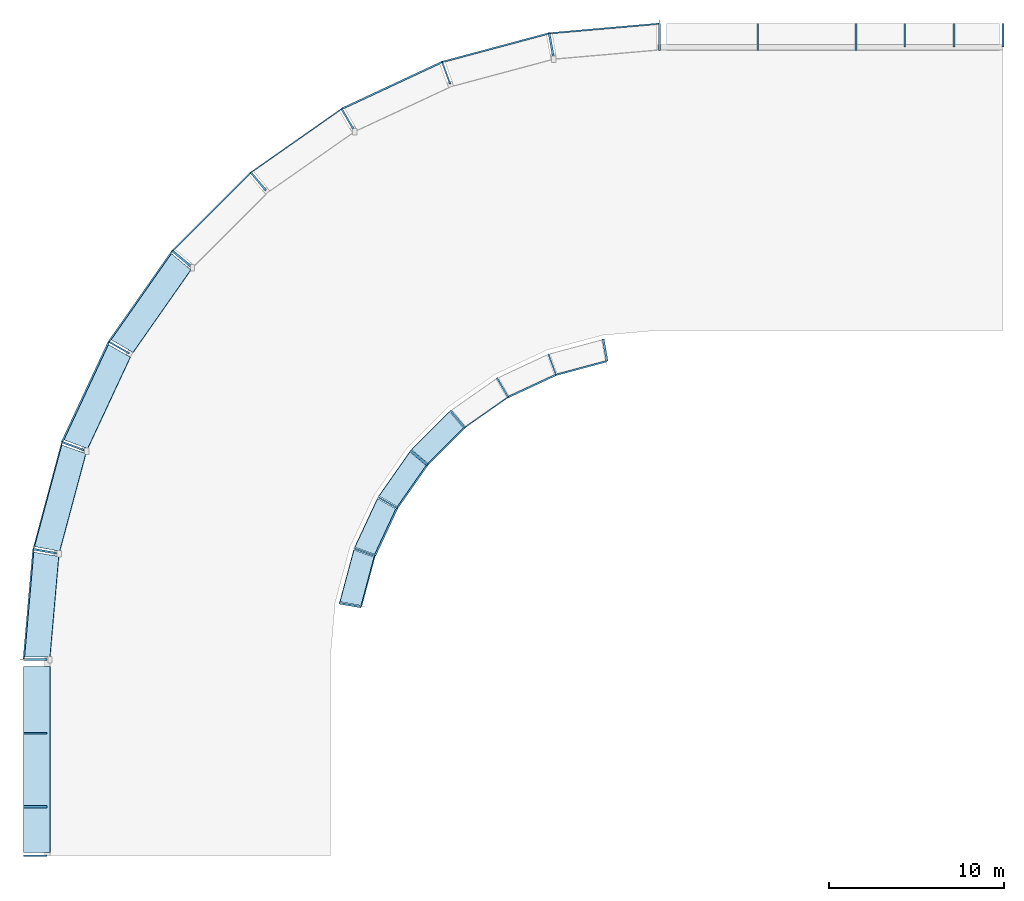
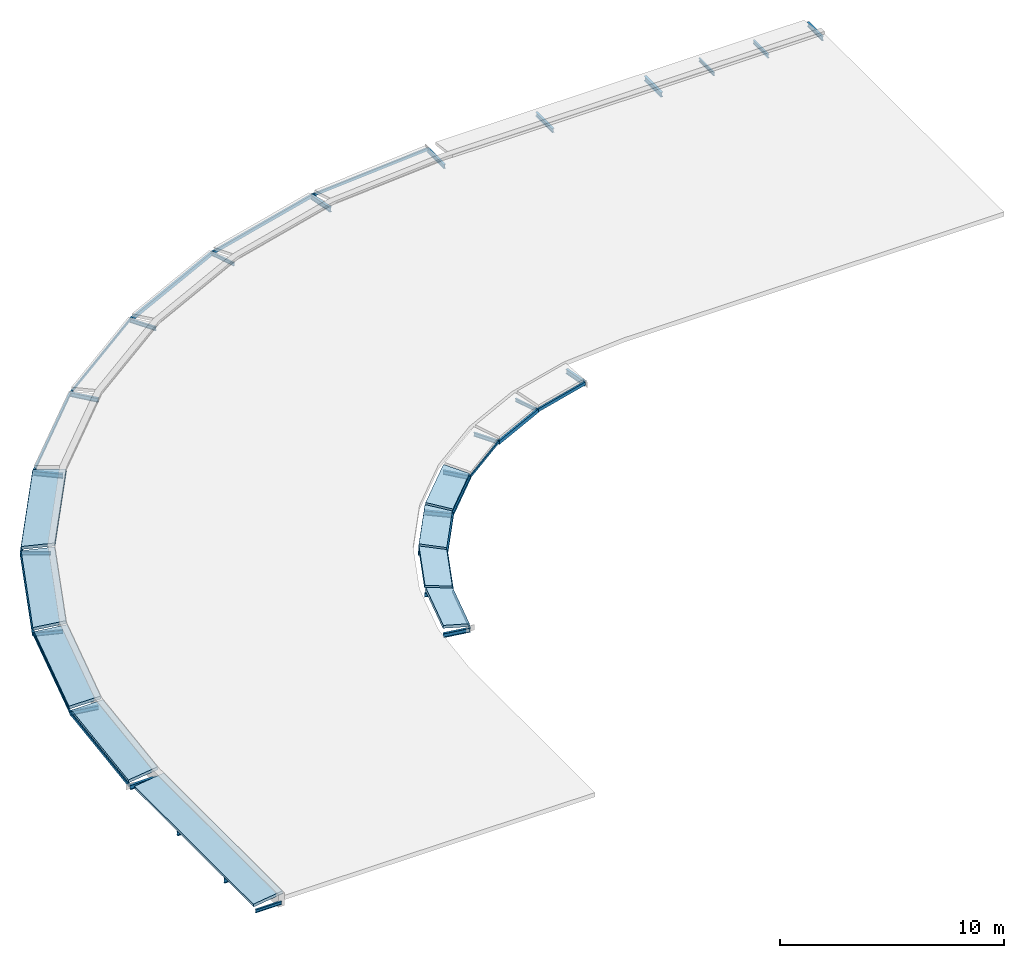
# One storey, part 1 of 6: 26 beams, 16 members, 9 slabs, 1 element without a shape of its own.
"""IFC4 building model written with IfcOpenShell, lengths in metres."""

from ifc_helpers import new_model, si_unit, direction, frame, origin, origin_2d, place, context, subcontext, project, spatial, polyline, hollow_rectangle, i_section, outline, extrude, material, layer, layer_set, material_profile, profile_set, type_object, element, aggregate, save


model = new_model("IFC4")

# Units and contexts
model_context = context("Model", 3, precision=1e-05, world=origin(), true_north=direction((0.0, 1.0)))
body_context = subcontext(model_context, "Body", "Model", "MODEL_VIEW")
ifc_project = project(units=[si_unit("LENGTHUNIT", "METRE"), si_unit("AREAUNIT", "SQUARE_METRE"), si_unit("VOLUMEUNIT", "CUBIC_METRE"), si_unit("PLANEANGLEUNIT", "RADIAN"), si_unit("MASSUNIT", "GRAM", prefix="KILO")], contexts=[model_context])

# Site, building, storey
site_placement = place(None, origin())
site = spatial("IfcSite", under=ifc_project, at=site_placement, CompositionType="ELEMENT")
building_placement = place(site_placement, origin())
building = spatial("IfcBuilding", under=site, at=building_placement, Name="Kiranvali Square Residences", CompositionType="ELEMENT")
storey_placement = place(building_placement, frame((0.0, 0.0, 52.800048828125)))
storey = spatial("IfcBuildingStorey", under=building, at=storey_placement, Name="ROOF", CompositionType="ELEMENT", Elevation=52.800048828125)

# Members
ifc_material_1 = material(Name="Structural steel E350", Category="steel")
ifc_material_profile_1 = material_profile(ifc_material_1, hollow_rectangle(XDim=0.06103515625, YDim=0.1220703125, WallThickness=0.00439453125, at=origin_2d()), Name="RHS 122x61x4.5")
ifc_profile_set_1 = profile_set([ifc_material_profile_1], Name="Structural steel E350")
member_type_1 = type_object("IfcMemberType", Name="MEM-RHS122", PredefinedType="PURLIN", material=ifc_profile_set_1)
member_1_placement = place(storey_placement, frame((30.050048828125, 119.23681640625, -0.301025390625), z_axis=(-0.819153970275, -0.573573685748, 0.0), x_axis=(0.573573685748, -0.819153970275, 0.0)))
element("IfcMember", 1, at=member_1_placement, inside=storey, type_object=member_type_1, Name="Block A Ottoman eave fascia purlin 4", PredefinedType="PURLIN", context=body_context, shape_type="SweptSolid", body=[
    extrude(hollow_rectangle(XDim=0.06103515625, YDim=0.1220703125, WallThickness=0.00439453125, at=origin_2d()), origin(), (0.0, 0.0, 1.0), 6.32763671875),
])
member_2_placement = place(storey_placement, frame((39.550048828125, 102.7822265625, -0.301025390625), z_axis=(-0.819140627792, -0.573592740453, 0.0), x_axis=(0.573592740453, -0.819140627792, 0.0)))
element("IfcMember", 2, at=member_2_placement, inside=storey, type_object=member_type_1, Name="Block A inner garden eave fascia purlin 4", PredefinedType="PURLIN", context=body_context, shape_type="SweptSolid", body=[
    extrude(hollow_rectangle(XDim=0.06103515625, YDim=0.1220703125, WallThickness=0.00439453125, at=origin_2d()), origin(), (0.0, 0.0, 1.0), 3.015625),
])
member_3_placement = place(storey_placement, frame((14.089111328125, 100.21533203125, -0.301025390625), z_axis=(-0.25882480207, -0.965924283696, 0.0), x_axis=(0.965924283696, -0.25882480207, 0.0)))
element("IfcMember", 3, at=member_3_placement, inside=storey, type_object=member_type_1, Name="Block A Ottoman eave fascia purlin 8", PredefinedType="PURLIN", context=body_context, shape_type="SweptSolid", body=[
    extrude(hollow_rectangle(XDim=0.06103515625, YDim=0.1220703125, WallThickness=0.00439453125, at=origin_2d()), origin(), (0.0, 0.0, 1.0), 6.327392578125),
])
member_4_placement = place(storey_placement, frame((31.943359375, 93.717041015625, -0.301025390625), z_axis=(-0.258866661045, -0.965913066378, 0.0), x_axis=(0.965913066378, -0.258866661045, 0.0)))
element("IfcMember", 4, at=member_4_placement, inside=storey, type_object=member_type_1, Name="Block A inner garden eave fascia purlin 8", PredefinedType="PURLIN", context=body_context, shape_type="SweptSolid", body=[
    extrude(hollow_rectangle(XDim=0.06103515625, YDim=0.1220703125, WallThickness=0.00439453125, at=origin_2d()), origin(), (0.0, 0.0, 1.0), 2.99072265625),
])
ifc_material_profile_2 = material_profile(ifc_material_1, hollow_rectangle(XDim=0.08203125, YDim=0.14501953125, WallThickness=0.00537109375, at=origin_2d()), Name="RHS 145x82x5.4")
ifc_profile_set_2 = profile_set([ifc_material_profile_2], Name="Structural steel E350")
member_type_2 = type_object("IfcMemberType", Name="MEM-RHS145", PredefinedType="PURLIN", material=ifc_profile_set_2)
member_5_placement = place(storey_placement, frame((48.175048828125, 124.097900390625, -0.3125), z_axis=(-0.996194516337, -0.087157820187, 0.0), x_axis=(0.087157820187, -0.996194516337, 0.0)))
element("IfcMember", 5, at=member_5_placement, inside=storey, type_object=member_type_2, Name="Block A Ottoman eave fascia purlin 1", PredefinedType="PURLIN", context=body_context, shape_type="SweptSolid", body=[
    extrude(hollow_rectangle(XDim=0.08203125, YDim=0.14501953125, WallThickness=0.00537109375, at=origin_2d()), origin(), (0.0, 0.0, 1.0), 6.302490234375),
])
member_6_placement = place(storey_placement, frame((24.86669921875, 115.607421875, -0.3125), z_axis=(-0.707106781187, -0.707106781187, 0.0), x_axis=(0.707106781187, -0.707106781187, 0.0)))
element("IfcMember", 6, at=member_6_placement, inside=storey, type_object=member_type_2, Name="Block A Ottoman eave fascia purlin 5", PredefinedType="PURLIN", context=body_context, shape_type="SweptSolid", body=[
    extrude(hollow_rectangle(XDim=0.08203125, YDim=0.14501953125, WallThickness=0.00537109375, at=origin_2d()), origin(), (0.0, 0.0, 1.0), 6.327392578125),
])
member_7_placement = place(storey_placement, frame((37.079833984375, 101.052490234375, -0.3125), z_axis=(-0.707106781187, -0.707106781187, 0.0), x_axis=(0.707106781187, -0.707106781187, 0.0)))
element("IfcMember", 7, at=member_7_placement, inside=storey, type_object=member_type_2, Name="Block A inner garden eave fascia purlin 5", PredefinedType="PURLIN", context=body_context, shape_type="SweptSolid", body=[
    extrude(hollow_rectangle(XDim=0.08203125, YDim=0.14501953125, WallThickness=0.00537109375, at=origin_2d()), origin(), (0.0, 0.0, 1.0), 3.015625),
])
member_8_placement = place(storey_placement, frame((12.451416015625, 94.103515625, -0.3125), z_axis=(-0.087157820187, -0.996194516337, 0.0), x_axis=(0.996194516337, -0.087157820187, 0.0)))
element("IfcMember", 8, at=member_8_placement, inside=storey, type_object=member_type_2, Name="Block A Ottoman eave fascia purlin 9", PredefinedType="PURLIN", context=body_context, shape_type="SweptSolid", body=[
    extrude(hollow_rectangle(XDim=0.08203125, YDim=0.14501953125, WallThickness=0.00537109375, at=origin_2d()), origin(), (0.0, 0.0, 1.0), 6.302490234375),
])
ifc_material_profile_3 = material_profile(ifc_material_1, hollow_rectangle(XDim=0.092041015625, YDim=0.172119140625, WallThickness=0.00537109375, at=origin_2d()), Name="RHS 172x92x5.4")
ifc_profile_set_3 = profile_set([ifc_material_profile_3], Name="Structural steel E350")
member_type_3 = type_object("IfcMemberType", Name="MEM-RHS172", PredefinedType="PURLIN", material=ifc_profile_set_3)
member_9_placement = place(storey_placement, frame((41.896484375, 123.548583984375, -0.325927734375), z_axis=(-0.965924283696, -0.25882480207, 0.0), x_axis=(0.25882480207, -0.965924283696, 0.0)))
element("IfcMember", 9, at=member_9_placement, inside=storey, type_object=member_type_3, Name="Block A Ottoman eave fascia purlin 2", PredefinedType="PURLIN", context=body_context, shape_type="SweptSolid", body=[
    extrude(hollow_rectangle(XDim=0.092041015625, YDim=0.172119140625, WallThickness=0.00537109375, at=origin_2d()), origin(), (0.0, 0.0, 1.0), 6.327392578125),
])
member_10_placement = place(storey_placement, frame((45.171630859375, 104.830810546875, -0.325927734375), z_axis=(-0.965913066378, -0.258866661045, 0.0), x_axis=(0.258866661045, -0.965913066378, 0.0)))
element("IfcMember", 10, at=member_10_placement, inside=storey, type_object=member_type_3, Name="Block A inner garden eave fascia purlin 2", PredefinedType="PURLIN", context=body_context, shape_type="SweptSolid", body=[
    extrude(hollow_rectangle(XDim=0.092041015625, YDim=0.172119140625, WallThickness=0.00537109375, at=origin_2d()), origin(), (0.0, 0.0, 1.0), 2.99072265625),
])
member_11_placement = place(storey_placement, frame((20.392578125, 111.13330078125, -0.325927734375), z_axis=(-0.573573685748, -0.819153970275, 0.0), x_axis=(0.819153970275, -0.573573685748, 0.0)))
element("IfcMember", 11, at=member_11_placement, inside=storey, type_object=member_type_3, Name="Block A Ottoman eave fascia purlin 6", PredefinedType="PURLIN", context=body_context, shape_type="SweptSolid", body=[
    extrude(hollow_rectangle(XDim=0.092041015625, YDim=0.172119140625, WallThickness=0.00537109375, at=origin_2d()), origin(), (0.0, 0.0, 1.0), 6.32763671875),
])
member_12_placement = place(storey_placement, frame((34.947509765625, 98.920166015625, -0.325927734375), z_axis=(-0.573592740453, -0.819140627792, 0.0), x_axis=(0.819140627792, -0.573592740453, 0.0)))
element("IfcMember", 12, at=member_12_placement, inside=storey, type_object=member_type_3, Name="Block A inner garden eave fascia purlin 6", PredefinedType="PURLIN", context=body_context, shape_type="SweptSolid", body=[
    extrude(hollow_rectangle(XDim=0.092041015625, YDim=0.172119140625, WallThickness=0.00537109375, at=origin_2d()), origin(), (0.0, 0.0, 1.0), 3.015625),
])
ifc_material_profile_4 = material_profile(ifc_material_1, hollow_rectangle(XDim=0.10009765625, YDim=0.199951171875, WallThickness=0.006103515625, at=origin_2d()), Name="RHS 200x100x6.0")
ifc_profile_set_4 = profile_set([ifc_material_profile_4], Name="Structural steel E350")
member_type_4 = type_object("IfcMemberType", Name="MEM-RHS200", PredefinedType="PURLIN", material=ifc_profile_set_4)
member_13_placement = place(storey_placement, frame((35.78466796875, 121.910888671875, -0.340087890625), z_axis=(-0.906309273507, -0.42261507398, 0.0), x_axis=(0.42261507398, -0.906309273507, 0.0)))
element("IfcMember", 13, at=member_13_placement, inside=storey, type_object=member_type_4, Name="Block A Ottoman eave fascia purlin 3", PredefinedType="PURLIN", context=body_context, shape_type="SweptSolid", body=[
    extrude(hollow_rectangle(XDim=0.10009765625, YDim=0.199951171875, WallThickness=0.006103515625, at=origin_2d()), origin(), (0.0, 0.0, 1.0), 6.327392578125),
])
member_14_placement = place(storey_placement, frame((42.282958984375, 104.056640625, -0.340087890625), z_axis=(-0.906303071034, -0.422628375094, 0.0), x_axis=(0.422628375094, -0.906303071034, 0.0)))
element("IfcMember", 14, at=member_14_placement, inside=storey, type_object=member_type_4, Name="Block A inner garden eave fascia purlin 3", PredefinedType="PURLIN", context=body_context, shape_type="SweptSolid", body=[
    extrude(hollow_rectangle(XDim=0.10009765625, YDim=0.199951171875, WallThickness=0.006103515625, at=origin_2d()), origin(), (0.0, 0.0, 1.0), 3.015380859375),
])
member_15_placement = place(storey_placement, frame((16.76318359375, 105.949951171875, -0.340087890625), z_axis=(-0.42261507398, -0.906309273507, 0.0), x_axis=(0.906309273507, -0.42261507398, 0.0)))
element("IfcMember", 15, at=member_15_placement, inside=storey, type_object=member_type_4, Name="Block A Ottoman eave fascia purlin 7", PredefinedType="PURLIN", context=body_context, shape_type="SweptSolid", body=[
    extrude(hollow_rectangle(XDim=0.10009765625, YDim=0.199951171875, WallThickness=0.006103515625, at=origin_2d()), origin(), (0.0, 0.0, 1.0), 6.327392578125),
])
member_16_placement = place(storey_placement, frame((33.2177734375, 96.449951171875, -0.340087890625), z_axis=(-0.422628375094, -0.906303071034, 0.0), x_axis=(0.906303071034, -0.422628375094, 0.0)))
element("IfcMember", 16, at=member_16_placement, inside=storey, type_object=member_type_4, Name="Block A inner garden eave fascia purlin 7", PredefinedType="PURLIN", context=body_context, shape_type="SweptSolid", body=[
    extrude(hollow_rectangle(XDim=0.10009765625, YDim=0.199951171875, WallThickness=0.006103515625, at=origin_2d()), origin(), (0.0, 0.0, 1.0), 3.015380859375),
])

# Beams
ifc_material_profile_5 = material_profile(ifc_material_1, i_section(OverallWidth=0.0849609375, OverallDepth=0.175048828125, WebThickness=0.005859375, FlangeThickness=0.009033203125, at=origin_2d()), Name="ISMB 175")
ifc_profile_set_5 = profile_set([ifc_material_profile_5], Name="Structural steel E350")
beam_type_1 = type_object("IfcBeamType", Name="SBM-ISMB175", PredefinedType="JOIST", material=ifc_profile_set_5)
beam_1_placement = place(storey_placement, frame((36.242919921875, 120.651611328125, -0.32763671875), z_axis=(-0.341962474452, 0.939713608536, 0.0), x_axis=(-0.939713608536, -0.341962474452, 0.0)))
element("IfcBeam", 17, at=beam_1_placement, inside=storey, type_object=beam_type_1, Name="Block A Classical Ottoman eave steel joist 3", PredefinedType="JOIST", context=body_context, shape_type="SweptSolid", body=[
    extrude(i_section(OverallWidth=0.0849609375, OverallDepth=0.175048828125, WebThickness=0.005859375, FlangeThickness=0.009033203125, at=origin_2d()), origin(), (0.0, 0.0, 1.0), 1.340087890625),
])
beam_2_placement = place(storey_placement, frame((41.84521484375, 105.259521484375, -0.32763671875), z_axis=(0.341972760075, -0.939709865526, 0.0), x_axis=(0.939709865526, 0.341972760075, 0.0)))
element("IfcBeam", 18, at=beam_2_placement, inside=storey, type_object=beam_type_1, Name="Block A inner garden eave steel joist 3", PredefinedType="JOIST", context=body_context, shape_type="SweptSolid", body=[
    extrude(i_section(OverallWidth=0.0849609375, OverallDepth=0.175048828125, WebThickness=0.005859375, FlangeThickness=0.009033203125, at=origin_2d()), origin(), (0.0, 0.0, 1.0), 1.280029296875),
])
beam_3_placement = place(storey_placement, frame((17.923828125, 105.280029296875, -0.32763671875), z_axis=(-0.866082447003, 0.499901185229, 0.0), x_axis=(-0.499901185229, -0.866082447003, 0.0)))
element("IfcBeam", 19, at=beam_3_placement, inside=storey, type_object=beam_type_1, Name="Block A Classical Ottoman eave steel joist 7", PredefinedType="JOIST", context=body_context, shape_type="SweptSolid", body=[
    extrude(i_section(OverallWidth=0.0849609375, OverallDepth=0.175048828125, WebThickness=0.005859375, FlangeThickness=0.009033203125, at=origin_2d()), origin(), (0.0, 0.0, 1.0), 1.340087890625),
])
beam_4_placement = place(storey_placement, frame((32.109130859375, 97.090087890625, -0.32763671875), z_axis=(0.866004557827, -0.500036104519, 0.0), x_axis=(0.500036104519, 0.866004557827, 0.0)))
element("IfcBeam", 20, at=beam_4_placement, inside=storey, type_object=beam_type_1, Name="Block A inner garden eave steel joist 7", PredefinedType="JOIST", context=body_context, shape_type="SweptSolid", body=[
    extrude(i_section(OverallWidth=0.0849609375, OverallDepth=0.175048828125, WebThickness=0.005859375, FlangeThickness=0.009033203125, at=origin_2d()), origin(), (0.0, 0.0, 1.0), 1.2802734375),
])
for number, where, z_axis, x_axis, name in (
    (21, (62.199951171875, 122.760009765625, -0.32763671875), (0.0, 1.0, 0.0), (-1.0, 0.0, 0.0), "Block A Arm 1 Ottoman eave joist 3"),
    (22, (13.239990234375, 76.60009765625, -0.32763671875), (-1.0, 0.0, 0.0), (0.0, -1.0, 0.0), "Block A Arm 2 Ottoman eave joist 3"),
):
    element("IfcBeam", number, at=place(storey_placement, frame(where, z_axis=z_axis, x_axis=x_axis)), inside=storey, type_object=beam_type_1, Name=name, PredefinedType="JOIST", context=body_context, shape_type="SweptSolid", body=[
        extrude(i_section(OverallWidth=0.0849609375, OverallDepth=0.175048828125, WebThickness=0.005859375, FlangeThickness=0.009033203125, at=origin_2d()), origin(), (0.0, 0.0, 1.0), 1.340087890625),
    ])
ifc_material_profile_6 = material_profile(ifc_material_1, i_section(OverallWidth=0.10009765625, OverallDepth=0.199951171875, WebThickness=0.005615234375, FlangeThickness=0.0107421875, at=origin_2d()), Name="ISMB 200")
ifc_profile_set_6 = profile_set([ifc_material_profile_6], Name="Structural steel E350")
beam_type_2 = type_object("IfcBeamType", Name="SBM-ISMB200", PredefinedType="JOIST", material=ifc_profile_set_6)
beam_5_placement = place(storey_placement, frame((30.719970703125, 118.076171875, -0.340087890625), z_axis=(-0.499901185229, 0.866082447003, 0.0), x_axis=(-0.866082447003, -0.499901185229, 0.0)))
element("IfcBeam", 23, at=beam_5_placement, inside=storey, type_object=beam_type_2, Name="Block A Classical Ottoman eave steel joist 4", PredefinedType="JOIST", context=body_context, shape_type="SweptSolid", body=[
    extrude(i_section(OverallWidth=0.10009765625, OverallDepth=0.199951171875, WebThickness=0.005615234375, FlangeThickness=0.0107421875, at=origin_2d()), origin(), (0.0, 0.0, 1.0), 1.340087890625),
])
beam_6_placement = place(storey_placement, frame((38.909912109375, 103.890869140625, -0.340087890625), z_axis=(0.500036104519, -0.866004557827, 0.0), x_axis=(0.866004557827, 0.500036104519, 0.0)))
element("IfcBeam", 24, at=beam_6_placement, inside=storey, type_object=beam_type_2, Name="Block A inner garden eave steel joist 4", PredefinedType="JOIST", context=body_context, shape_type="SweptSolid", body=[
    extrude(i_section(OverallWidth=0.10009765625, OverallDepth=0.199951171875, WebThickness=0.005615234375, FlangeThickness=0.0107421875, at=origin_2d()), origin(), (0.0, 0.0, 1.0), 1.2802734375),
])
beam_7_placement = place(storey_placement, frame((15.348388671875, 99.757080078125, -0.340087890625), z_axis=(-0.939713608536, 0.341962474452, 0.0), x_axis=(-0.341962474452, -0.939713608536, 0.0)))
element("IfcBeam", 25, at=beam_7_placement, inside=storey, type_object=beam_type_2, Name="Block A Classical Ottoman eave steel joist 8", PredefinedType="JOIST", context=body_context, shape_type="SweptSolid", body=[
    extrude(i_section(OverallWidth=0.10009765625, OverallDepth=0.199951171875, WebThickness=0.005615234375, FlangeThickness=0.0107421875, at=origin_2d()), origin(), (0.0, 0.0, 1.0), 1.340087890625),
])
beam_8_placement = place(storey_placement, frame((30.740478515625, 94.15478515625, -0.340087890625), z_axis=(0.939709865526, -0.341972760075, 0.0), x_axis=(0.341972760075, 0.939709865526, 0.0)))
element("IfcBeam", 26, at=beam_8_placement, inside=storey, type_object=beam_type_2, Name="Block A inner garden eave steel joist 8", PredefinedType="JOIST", context=body_context, shape_type="SweptSolid", body=[
    extrude(i_section(OverallWidth=0.10009765625, OverallDepth=0.199951171875, WebThickness=0.005615234375, FlangeThickness=0.0107421875, at=origin_2d()), origin(), (0.0, 0.0, 1.0), 1.280029296875),
])
beam_9_placement = place(storey_placement, frame((65.0, 122.760009765625, -0.340087890625), z_axis=(0.0, 1.0, 0.0), x_axis=(-1.0, 0.0, 0.0)))
element("IfcBeam", 27, at=beam_9_placement, inside=storey, type_object=beam_type_2, Name="Block A Arm 1 Ottoman eave joist 4", PredefinedType="JOIST", context=body_context, shape_type="SweptSolid", body=[
    extrude(i_section(OverallWidth=0.10009765625, OverallDepth=0.199951171875, WebThickness=0.005615234375, FlangeThickness=0.0107421875, at=origin_2d()), origin(), (0.0, 0.0, 1.0), 1.340087890625),
])
ifc_material_profile_7 = material_profile(ifc_material_1, i_section(OverallWidth=0.110107421875, OverallDepth=0.22509765625, WebThickness=0.006591796875, FlangeThickness=0.01171875, at=origin_2d()), Name="ISMB 225")
ifc_profile_set_7 = profile_set([ifc_material_profile_7], Name="Structural steel E350")
beam_type_3 = type_object("IfcBeamType", Name="SBM-ISMB225", PredefinedType="JOIST", material=ifc_profile_set_7)
beam_10_placement = place(storey_placement, frame((48.199951171875, 122.580078125, -0.3525390625), z_axis=(0.0, 1.0, 0.0), x_axis=(-1.0, 0.0, 0.0)))
element("IfcBeam", 28, at=beam_10_placement, inside=storey, type_object=beam_type_3, Name="Block A Classical Ottoman eave steel joist 1", PredefinedType="JOIST", context=body_context, shape_type="SweptSolid", body=[
    extrude(i_section(OverallWidth=0.110107421875, OverallDepth=0.22509765625, WebThickness=0.006591796875, FlangeThickness=0.01171875, at=origin_2d()), origin(), (0.0, 0.0, 1.0), 1.52001953125),
])
beam_11_placement = place(storey_placement, frame((25.72802734375, 114.580810546875, -0.3525390625), z_axis=(-0.642743353456, 0.766081576327, 0.0), x_axis=(-0.766081576327, -0.642743353456, 0.0)))
element("IfcBeam", 29, at=beam_11_placement, inside=storey, type_object=beam_type_3, Name="Block A Classical Ottoman eave steel joist 5", PredefinedType="JOIST", context=body_context, shape_type="SweptSolid", body=[
    extrude(i_section(OverallWidth=0.110107421875, OverallDepth=0.22509765625, WebThickness=0.006591796875, FlangeThickness=0.01171875, at=origin_2d()), origin(), (0.0, 0.0, 1.0), 1.340087890625),
])
beam_12_placement = place(storey_placement, frame((36.257080078125, 102.033203125, -0.3525390625), z_axis=(0.642713381368, -0.766106721946, 0.0), x_axis=(0.766106721946, 0.642713381368, 0.0)))
element("IfcBeam", 30, at=beam_12_placement, inside=storey, type_object=beam_type_3, Name="Block A inner garden eave steel joist 5", PredefinedType="JOIST", context=body_context, shape_type="SweptSolid", body=[
    extrude(i_section(OverallWidth=0.110107421875, OverallDepth=0.22509765625, WebThickness=0.006591796875, FlangeThickness=0.01171875, at=origin_2d()), origin(), (0.0, 0.0, 1.0), 1.280029296875),
])
beam_13_placement = place(storey_placement, frame((13.771240234375, 93.870849609375, -0.3525390625), z_axis=(-0.984814719833, 0.173608662227, 0.0), x_axis=(-0.173608662227, -0.984814719833, 0.0)))
element("IfcBeam", 31, at=beam_13_placement, inside=storey, type_object=beam_type_3, Name="Block A Classical Ottoman eave steel joist 9", PredefinedType="JOIST", context=body_context, shape_type="SweptSolid", body=[
    extrude(i_section(OverallWidth=0.110107421875, OverallDepth=0.22509765625, WebThickness=0.006591796875, FlangeThickness=0.01171875, at=origin_2d()), origin(), (0.0, 0.0, 1.0), 1.340087890625),
])
beam_14_placement = place(storey_placement, frame((29.90234375, 91.0263671875, -0.3525390625), z_axis=(0.98482002203, -0.173578582229, 0.0), x_axis=(0.173578582229, 0.98482002203, 0.0)))
element("IfcBeam", 32, at=beam_14_placement, inside=storey, type_object=beam_type_3, Name="Block A inner garden eave steel joist 9", PredefinedType="JOIST", context=body_context, shape_type="SweptSolid", body=[
    extrude(i_section(OverallWidth=0.110107421875, OverallDepth=0.22509765625, WebThickness=0.006591796875, FlangeThickness=0.01171875, at=origin_2d()), origin(), (0.0, 0.0, 1.0), 1.280029296875),
])
beam_15_placement = place(storey_placement, frame((53.800048828125, 122.580078125, -0.3525390625), z_axis=(0.0, 1.0, 0.0), x_axis=(-1.0, 0.0, 0.0)))
element("IfcBeam", 33, at=beam_15_placement, inside=storey, type_object=beam_type_3, Name="Block A Arm 1 Ottoman eave joist 1", PredefinedType="JOIST", context=body_context, shape_type="SweptSolid", body=[
    extrude(i_section(OverallWidth=0.110107421875, OverallDepth=0.22509765625, WebThickness=0.006591796875, FlangeThickness=0.01171875, at=origin_2d()), origin(), (0.0, 0.0, 1.0), 1.52001953125),
])
for number, where, z_axis, x_axis, name in (
    (34, (67.800048828125, 122.760009765625, -0.3525390625), (0.0, 1.0, 0.0), (-1.0, 0.0, 0.0), "Block A Arm 1 Ottoman eave joist 5"),
    (35, (13.239990234375, 83.60009765625, -0.3525390625), (-1.0, 0.0, 0.0), (0.0, -1.0, 0.0), "Block A Arm 2 Ottoman eave joist 1"),
):
    element("IfcBeam", number, at=place(storey_placement, frame(where, z_axis=z_axis, x_axis=x_axis)), inside=storey, type_object=beam_type_3, Name=name, PredefinedType="JOIST", context=body_context, shape_type="SweptSolid", body=[
        extrude(i_section(OverallWidth=0.110107421875, OverallDepth=0.22509765625, WebThickness=0.006591796875, FlangeThickness=0.01171875, at=origin_2d()), origin(), (0.0, 0.0, 1.0), 1.340087890625),
    ])
ifc_material_profile_8 = material_profile(ifc_material_1, i_section(OverallWidth=0.125, OverallDepth=0.25, WebThickness=0.0068359375, FlangeThickness=0.012451171875, at=origin_2d()), Name="ISMB 250")
ifc_profile_set_8 = profile_set([ifc_material_profile_8], Name="Structural steel E350")
beam_type_4 = type_object("IfcBeamType", Name="SBM-ISMB250", PredefinedType="JOIST", material=ifc_profile_set_8)
beam_16_placement = place(storey_placement, frame((42.129150390625, 122.228759765625, -0.364990234375), z_axis=(-0.173608662227, 0.984814719833, 0.0), x_axis=(-0.984814719833, -0.173608662227, 0.0)))
element("IfcBeam", 36, at=beam_16_placement, inside=storey, type_object=beam_type_4, Name="Block A Classical Ottoman eave steel joist 2", PredefinedType="JOIST", context=body_context, shape_type="SweptSolid", body=[
    extrude(i_section(OverallWidth=0.125, OverallDepth=0.25, WebThickness=0.0068359375, FlangeThickness=0.012451171875, at=origin_2d()), origin(), (0.0, 0.0, 1.0), 1.340087890625),
])
beam_17_placement = place(storey_placement, frame((44.9736328125, 106.09765625, -0.364990234375), z_axis=(0.173578582229, -0.98482002203, 0.0), x_axis=(0.98482002203, 0.173578582229, 0.0)))
element("IfcBeam", 37, at=beam_17_placement, inside=storey, type_object=beam_type_4, Name="Block A inner garden eave steel joist 2", PredefinedType="JOIST", context=body_context, shape_type="SweptSolid", body=[
    extrude(i_section(OverallWidth=0.125, OverallDepth=0.25, WebThickness=0.0068359375, FlangeThickness=0.012451171875, at=origin_2d()), origin(), (0.0, 0.0, 1.0), 1.280029296875),
])
beam_18_placement = place(storey_placement, frame((21.419189453125, 110.27197265625, -0.364990234375), z_axis=(-0.766081576327, 0.642743353456, 0.0), x_axis=(-0.642743353456, -0.766081576327, 0.0)))
element("IfcBeam", 38, at=beam_18_placement, inside=storey, type_object=beam_type_4, Name="Block A Classical Ottoman eave steel joist 6", PredefinedType="JOIST", context=body_context, shape_type="SweptSolid", body=[
    extrude(i_section(OverallWidth=0.125, OverallDepth=0.25, WebThickness=0.0068359375, FlangeThickness=0.012451171875, at=origin_2d()), origin(), (0.0, 0.0, 1.0), 1.340087890625),
])
beam_19_placement = place(storey_placement, frame((33.966796875, 99.742919921875, -0.364990234375), z_axis=(0.766106721946, -0.642713381368, 0.0), x_axis=(0.642713381368, 0.766106721946, 0.0)))
element("IfcBeam", 39, at=beam_19_placement, inside=storey, type_object=beam_type_4, Name="Block A inner garden eave steel joist 6", PredefinedType="JOIST", context=body_context, shape_type="SweptSolid", body=[
    extrude(i_section(OverallWidth=0.125, OverallDepth=0.25, WebThickness=0.0068359375, FlangeThickness=0.012451171875, at=origin_2d()), origin(), (0.0, 0.0, 1.0), 1.280029296875),
])
beam_20_placement = place(storey_placement, frame((13.239990234375, 87.800048828125, -0.364990234375), z_axis=(-1.0, 0.0, 0.0), x_axis=(0.0, -1.0, 0.0)))
element("IfcBeam", 40, at=beam_20_placement, inside=storey, type_object=beam_type_4, Name="Block A Classical Ottoman eave steel joist 10", PredefinedType="JOIST", context=body_context, shape_type="SweptSolid", body=[
    extrude(i_section(OverallWidth=0.125, OverallDepth=0.25, WebThickness=0.0068359375, FlangeThickness=0.012451171875, at=origin_2d()), origin(), (0.0, 0.0, 1.0), 1.340087890625),
])
beam_21_placement = place(storey_placement, frame((59.39990234375, 122.580078125, -0.364990234375), z_axis=(0.0, 1.0, 0.0), x_axis=(-1.0, 0.0, 0.0)))
element("IfcBeam", 41, at=beam_21_placement, inside=storey, type_object=beam_type_4, Name="Block A Arm 1 Ottoman eave joist 2", PredefinedType="JOIST", context=body_context, shape_type="SweptSolid", body=[
    extrude(i_section(OverallWidth=0.125, OverallDepth=0.25, WebThickness=0.0068359375, FlangeThickness=0.012451171875, at=origin_2d()), origin(), (0.0, 0.0, 1.0), 1.52001953125),
])
beam_22_placement = place(storey_placement, frame((13.239990234375, 79.39990234375, -0.364990234375), z_axis=(-1.0, 0.0, 0.0), x_axis=(0.0, -1.0, 0.0)))
element("IfcBeam", 42, at=beam_22_placement, inside=storey, type_object=beam_type_4, Name="Block A Arm 2 Ottoman eave joist 2", PredefinedType="JOIST", context=body_context, shape_type="SweptSolid", body=[
    extrude(i_section(OverallWidth=0.125, OverallDepth=0.25, WebThickness=0.0068359375, FlangeThickness=0.012451171875, at=origin_2d()), origin(), (0.0, 0.0, 1.0), 1.340087890625),
])

# Roof, slabs
ifc_material_2 = material(Name="Concrete M40 (40 MPa)", Category="concrete")
roof_type = type_object("IfcRoofType", Name="RF-FLAT-TOWER", PredefinedType="FLAT_ROOF", material=ifc_material_2)
roof_placement = place(storey_placement, origin())
roof = element("IfcRoof", 43, at=roof_placement, inside=storey, type_object=roof_type, Name="Block A Classical Ottoman overhanging eave roof assembly", PredefinedType="FLAT_ROOF")
ifc_material_3 = material(Name="Concrete M35 (35 MPa)", Category="concrete")
ifc_layer = layer(ifc_material_3, 0.159912109375)
ifc_layer_set = layer_set([ifc_layer], Name="Concrete M35 (35 MPa)")
slab_type = type_object("IfcSlabType", Name="SLB-PITCH-160", PredefinedType="ROOF", material=ifc_layer_set)
slab_1_placement = place(storey_placement, frame((36.220947265625, 101.950439453125, 0.119873046875), z_axis=(0.112948342878, -0.112948342878, 0.98716024215), x_axis=(-0.707106781187, -0.707106781187, 0.0)))
slab_1 = element("IfcSlab", 44, at=slab_1_placement, type_object=slab_type, Name="Block A inner garden Ottoman eave slab 5", PredefinedType="ROOF", context=body_context, shape_type="SweptSolid", body=[
    extrude(outline(polyline([(0.0, 0.0), (3.0708045468130636, 0.0), (2.967914985878693, 1.2517831243585786), (0.10288956093437063, 1.2517831243585784), (0.0, 0.0)])), origin(), (0.0, 0.0, -1.0), 0.159912109375),
])
slab_2_placement = place(storey_placement, frame((21.4443359375, 110.052490234375, 0.119873046875), z_axis=(-0.108603655576, 0.076044549013, 0.991172271889), x_axis=(-0.573587183545, -0.819144518915, -2.208907e-06)))
slab_2 = element("IfcSlab", 45, at=slab_2_placement, type_object=slab_type, Name="Block A pitched Ottoman eave slab 6", PredefinedType="ROOF", context=body_context, shape_type="SweptSolid", body=[
    extrude(outline(polyline([(0.0, 0.0), (5.763564638465768, 0.0), (5.8877777014853825, -1.5080537209843436), (-0.12421658951495954, -1.5082499124056707), (0.0, 0.0)])), origin(), (0.0, 0.0, -1.0), 0.159912109375),
])
slab_3_placement = place(storey_placement, frame((33.945556640625, 99.6552734375, 0.119873046875), z_axis=(0.130854166302, -0.091616313261, 0.987159378371), x_axis=(-0.573511116717, -0.819197777689, -5.633519e-06)))
slab_3 = element("IfcSlab", 46, at=slab_3_placement, type_object=slab_type, Name="Block A inner garden Ottoman eave slab 6", PredefinedType="ROOF", context=body_context, shape_type="SweptSolid", body=[
    extrude(outline(polyline([(0.0, 0.0), (3.0705396456073046, 0.0), (2.9678832149781362, 1.2516366244273593), (0.10283156372211912, 1.2518459558197284), (0.0, 0.0)])), origin(), (0.0, 0.0, -1.0), 0.159912109375),
])
slab_4_placement = place(storey_placement, frame((17.986572265625, 105.068359375, 0.119873046875), z_axis=(-0.120154987541, 0.05602724844, 0.991172904392), x_axis=(-0.422595750495, -0.906318283861, 1.546168e-06)))
slab_4 = element("IfcSlab", 47, at=slab_4_placement, type_object=slab_type, Name="Block A pitched Ottoman eave slab 7", PredefinedType="ROOF", context=body_context, shape_type="SweptSolid", body=[
    extrude(outline(polyline([(0.0, 0.0), (5.763304416540351, 0.0), (5.887677112781883, -1.5082742744762854), (-0.1243261671537965, -1.5081369444436816), (0.0, 0.0)])), origin(), (0.0, 0.0, -1.0), 0.159912109375),
])
slab_5_placement = place(storey_placement, frame((32.103515625, 96.999755859375, 0.119873046875), z_axis=(0.144760890735, -0.067505589194, 0.987161222872), x_axis=(-0.422620197792, -0.906306884237, -1.928698e-06)))
slab_5 = element("IfcSlab", 48, at=slab_5_placement, type_object=slab_type, Name="Block A inner garden Ottoman eave slab 7", PredefinedType="ROOF", context=body_context, shape_type="SweptSolid", body=[
    extrude(outline(polyline([(0.0, 0.0), (3.070388725046991, 0.0), (2.9677285296402727, 1.2517947896613018), (0.10257320693810537, 1.2518664611509276), (0.0, 0.0)])), origin(), (0.0, 0.0, -1.0), 0.159912109375),
])
slab_6_placement = place(storey_placement, frame((15.447021484375, 99.5595703125, 0.119873046875), z_axis=(-0.128067969101, 0.034317124777, 0.991171493858), x_axis=(-0.258817456134, -0.965926252049, 1.599867e-06)))
slab_6 = element("IfcSlab", 49, at=slab_6_placement, type_object=slab_type, Name="Block A pitched Ottoman eave slab 8", PredefinedType="ROOF", context=body_context, shape_type="SweptSolid", body=[
    extrude(outline(polyline([(0.0, 0.0), (5.763523189076189, 2.220446049250313e-16), (5.88780337364796, -1.5081567011770178), (-0.12421427689886178, -1.50801461011609), (0.0, 0.0)])), origin(), (0.0, 0.0, -1.0), 0.159912109375),
])
slab_7_placement = place(storey_placement, frame((30.75048828125, 94.06494140625, 0.119873046875), z_axis=(0.154275349142, -0.041341116171, 0.987162615156), x_axis=(-0.258816133515, -0.965926606435, -3.580653e-06)))
slab_7 = element("IfcSlab", 50, at=slab_7_placement, type_object=slab_type, Name="Block A inner garden Ottoman eave slab 8", PredefinedType="ROOF", context=body_context, shape_type="SweptSolid", body=[
    extrude(outline(polyline([(0.0, 0.0), (3.070440168351265, 0.0), (2.967812616950406, 1.2518315345909032), (0.10257154659674356, 1.2519646038923613), (0.0, 0.0)])), origin(), (0.0, 0.0, -1.0), 0.159912109375),
])
slab_8_placement = place(storey_placement, frame((13.902587890625, 93.693359375, 0.119873046875), z_axis=(-0.132077386786, 0.01155371317, 0.991172071646), x_axis=(-0.087136089201, -0.996196417358, 1.070158e-06)))
slab_8 = element("IfcSlab", 51, at=slab_8_placement, type_object=slab_type, Name="Block A pitched Ottoman eave slab 9", PredefinedType="ROOF", context=body_context, shape_type="SweptSolid", body=[
    extrude(outline(polyline([(0.0, 0.0), (5.763376484986024, 0.0), (5.887513680378009, -1.50818230980267), (-0.12412991464778432, -1.508087265608435), (0.0, 0.0)])), origin(), (0.0, 0.0, -1.0), 0.159912109375),
])
slab_9_placement = place(storey_placement, frame((13.39990234375, 87.39990234375, 0.119873046875), z_axis=(-0.132132016963, 0.0, 0.99123212725), x_axis=(0.0, -1.0, 0.0)))
slab_9 = element("IfcSlab", 52, at=slab_9_placement, type_object=slab_type, Name="Block A Arm 2 pitched Ottoman eave slab", PredefinedType="ROOF", context=body_context, shape_type="SweptSolid", body=[
    extrude(outline(polyline([(0.0, 0.0), (10.599853515625, 0.0), (10.599853515625, -1.513268142509511), (0.0, -1.513268142509511), (0.0, 0.0)])), origin(), (0.0, 0.0, -1.0), 0.159912109375),
])
aggregate(roof, [slab_1, slab_2, slab_3, slab_4, slab_5, slab_6, slab_7, slab_8, slab_9])

save(model, "model.ifc")
